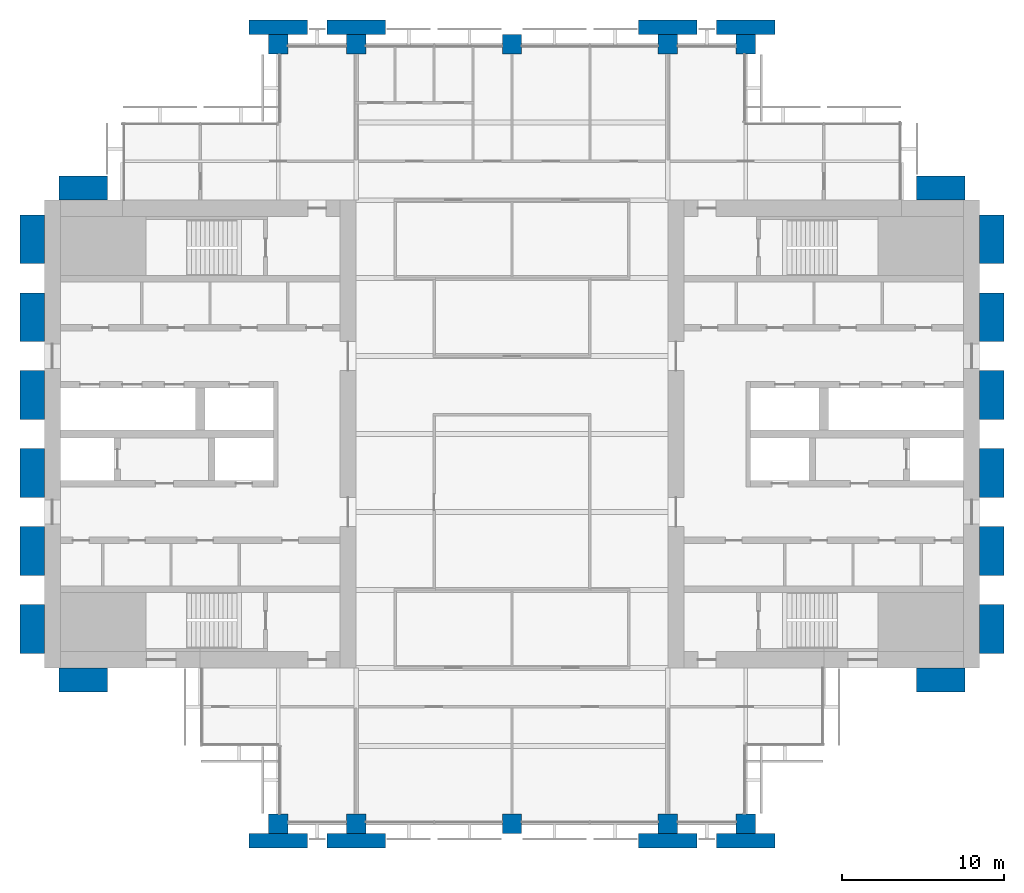
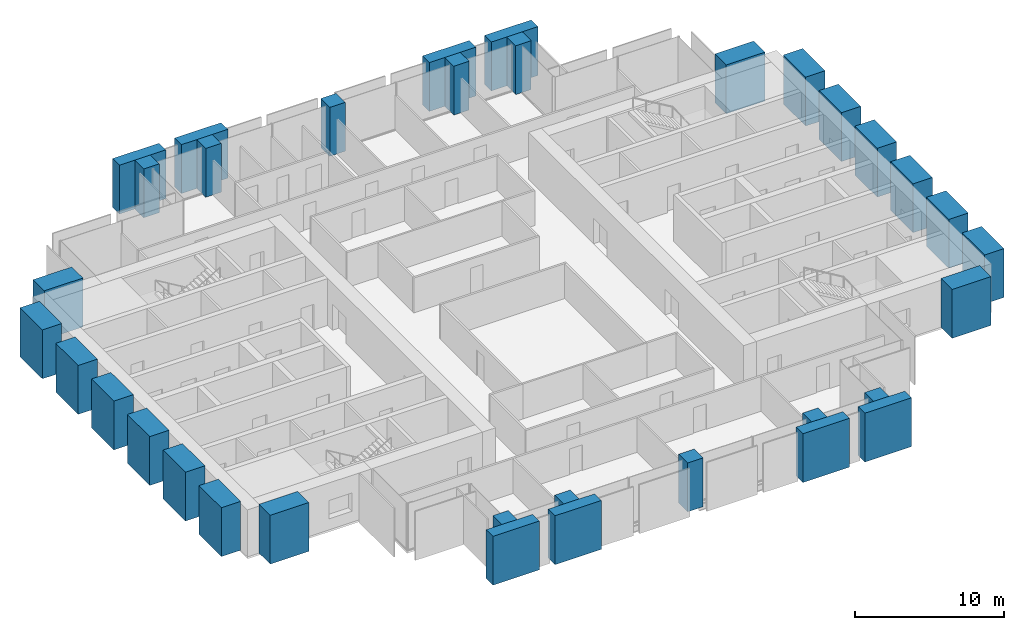
# One storey, part 1 of 14: 34 columns.
"""IFC4 building model written with IfcOpenShell, lengths in metres."""

from ifc_helpers import new_model, si_unit, direction, frame, origin, origin_2d, place, context, subcontext, project, spatial, rectangle, extrude, material, material_profile, profile_set, type_object, element, save


model = new_model("IFC4")

# Units and contexts
model_context = context("Model", 3, precision=1e-05, world=origin(), true_north=direction((0.0, 1.0)))
body_context = subcontext(model_context, "Body", "Model", "MODEL_VIEW")
ifc_project = project(units=[si_unit("LENGTHUNIT", "METRE"), si_unit("AREAUNIT", "SQUARE_METRE"), si_unit("VOLUMEUNIT", "CUBIC_METRE"), si_unit("PLANEANGLEUNIT", "RADIAN"), si_unit("MASSUNIT", "GRAM", prefix="KILO")], contexts=[model_context])

# Site, building, storey
site_placement = place(None, origin())
site = spatial("IfcSite", under=ifc_project, at=site_placement, CompositionType="ELEMENT")
building_placement = place(site_placement, origin())
building = spatial("IfcBuilding", under=site, at=building_placement, Name="Baori Bourse Tower", CompositionType="ELEMENT")
storey_placement = place(building_placement, frame((0.0, 0.0, 136.10009765625)))
storey = spatial("IfcBuildingStorey", under=building, at=storey_placement, Name="L29", CompositionType="ELEMENT", Elevation=136.10009765625)

# Columns
ifc_material_1 = material(Name="Concrete f'c 60 MPa", Category="concrete")
ifc_material_profile_1 = material_profile(ifc_material_1, rectangle(XDim=3.60009765625, YDim=0.89990234375, at=origin_2d()), Name="RC 3600x900")
ifc_profile_set_1 = profile_set([ifc_material_profile_1], Name="Concrete f'c 60 MPa")
column_type_1 = type_object("IfcColumnType", Name="FN3 Brick pilaster 3600x900", PredefinedType="PILASTER", material=ifc_profile_set_1)
for number, where, z_axis, x_axis, name in (
    (1, (14.39990234375, -1.050048828125, 0.0), (0.0, 0.0, 1.0), (1.0, 0.0, 0.0), "Brick pilaster L29 17"),
    (2, (19.199951171875, -1.050048828125, 0.0), (0.0, 0.0, 1.0), (1.0, 0.0, 0.0), "Brick pilaster L29 18"),
    (3, (38.39990234375, -1.050048828125, 0.0), (0.0, 0.0, 1.0), (1.0, 0.0, 0.0), "Brick pilaster L29 19"),
    (4, (43.199951171875, -1.050048828125, 0.0), (0.0, 0.0, 1.0), (1.0, 0.0, 0.0), "Brick pilaster L29 20"),
    (5, (14.39990234375, 49.050048828125, 0.0), (0.0, 0.0, 1.0), (1.0, 0.0, 0.0), "Brick pilaster L29 21"),
    (6, (19.199951171875, 49.050048828125, 0.0), (0.0, 0.0, 1.0), (1.0, 0.0, 0.0), "Brick pilaster L29 22"),
    (7, (38.39990234375, 49.050048828125, 0.0), (0.0, 0.0, 1.0), (1.0, 0.0, 0.0), "Brick pilaster L29 23"),
    (8, (43.199951171875, 49.050048828125, 0.0), (0.0, 0.0, 1.0), (1.0, 0.0, 0.0), "Brick pilaster L29 24"),
):
    element("IfcColumn", number, at=place(storey_placement, frame(where, z_axis=z_axis, x_axis=x_axis)), inside=storey, type_object=column_type_1, Name=name, PredefinedType="PILASTER", context=body_context, shape_type="SweptSolid", body=[
        extrude(rectangle(XDim=3.60009765625, YDim=0.89990234375, at=origin_2d()), origin(), (0.0, 0.0, 1.0), 4.0),
    ])
ifc_material_2 = material(Name="Concrete f'c 60 MPa", Category="concrete")
ifc_material_profile_2 = material_profile(ifc_material_2, rectangle(XDim=3.0, YDim=1.5, at=origin_2d()), Name="RC 3000x1500")
ifc_profile_set_2 = profile_set([ifc_material_profile_2], Name="Concrete f'c 60 MPa")
column_type_2 = type_object("IfcColumnType", Name="FN4 Brick flank pilaster 3000x1500", PredefinedType="PILASTER", material=ifc_profile_set_2)
for number, where, z_axis, x_axis, name in (
    (9, (55.199951171875, 8.85009765625, 0.0), (0.0, 0.0, 1.0), (1.0, 0.0, 0.0), "Brick pilaster L29 1"),
    (10, (58.35009765625, 12.0, 0.0), (0.0, 0.0, 1.0), (0.0, 1.0, 0.0), "Brick pilaster L29 2"),
    (11, (58.35009765625, 16.800048828125, 0.0), (0.0, 0.0, 1.0), (0.0, 1.0, 0.0), "Brick pilaster L29 3"),
    (12, (58.35009765625, 21.60009765625, 0.0), (0.0, 0.0, 1.0), (0.0, 1.0, 0.0), "Brick pilaster L29 4"),
    (13, (58.35009765625, 26.39990234375, 0.0), (0.0, 0.0, 1.0), (0.0, 1.0, 0.0), "Brick pilaster L29 5"),
    (14, (58.35009765625, 31.199951171875, 0.0), (0.0, 0.0, 1.0), (0.0, 1.0, 0.0), "Brick pilaster L29 6"),
    (15, (58.35009765625, 36.0, 0.0), (0.0, 0.0, 1.0), (0.0, 1.0, 0.0), "Brick pilaster L29 7"),
    (16, (55.199951171875, 39.14990234375, 0.0), (0.0, 0.0, 1.0), (1.0, 0.0, 0.0), "Brick pilaster L29 8"),
    (17, (2.39990234375, 39.14990234375, 0.0), (0.0, 0.0, 1.0), (1.0, 0.0, 0.0), "Brick pilaster L29 9"),
    (18, (-0.75, 12.0, 0.0), (0.0, 0.0, 1.0), (0.0, 1.0, 0.0), "Brick pilaster L29 10"),
    (19, (-0.75, 16.800048828125, 0.0), (0.0, 0.0, 1.0), (0.0, 1.0, 0.0), "Brick pilaster L29 11"),
    (20, (-0.75, 21.60009765625, 0.0), (0.0, 0.0, 1.0), (0.0, 1.0, 0.0), "Brick pilaster L29 12"),
    (21, (-0.75, 26.39990234375, 0.0), (0.0, 0.0, 1.0), (0.0, 1.0, 0.0), "Brick pilaster L29 13"),
    (22, (-0.75, 31.199951171875, 0.0), (0.0, 0.0, 1.0), (0.0, 1.0, 0.0), "Brick pilaster L29 14"),
    (23, (-0.75, 36.0, 0.0), (0.0, 0.0, 1.0), (0.0, 1.0, 0.0), "Brick pilaster L29 15"),
    (24, (2.39990234375, 8.85009765625, 0.0), (0.0, 0.0, 1.0), (1.0, 0.0, 0.0), "Brick pilaster L29 16"),
):
    element("IfcColumn", number, at=place(storey_placement, frame(where, z_axis=z_axis, x_axis=x_axis)), inside=storey, type_object=column_type_2, Name=name, PredefinedType="PILASTER", context=body_context, shape_type="SweptSolid", body=[
        extrude(rectangle(XDim=3.0, YDim=1.5, at=origin_2d()), origin(), (0.0, 0.0, 1.0), 4.0),
    ])
ifc_material_3 = material(Name="Concrete f'c 60 MPa", Category="concrete")
ifc_material_profile_3 = material_profile(ifc_material_3, rectangle(XDim=1.199951171875, YDim=1.199951171875, at=origin_2d()), Name="RC 1200x1200")
ifc_profile_set_3 = profile_set([ifc_material_profile_3], Name="Concrete f'c 60 MPa")
column_type_3 = type_object("IfcColumnType", Name="Perimeter column 60 RC 1200x1200", PredefinedType="COLUMN", material=ifc_profile_set_3)
for number, where, z_axis, x_axis, name in (
    (25, (14.39990234375, 0.0, 0.0), (0.0, 0.0, 1.0), (1.0, 0.0, 0.0), "Perimeter column L29"),
    (26, (19.199951171875, 0.0, 0.0), (0.0, 0.0, 1.0), (1.0, 0.0, 0.0), "Perimeter column L29"),
    (27, (28.800048828125, 0.0, 0.0), (0.0, 0.0, 1.0), (1.0, 0.0, 0.0), "Perimeter column L29"),
    (28, (38.39990234375, 0.0, 0.0), (0.0, 0.0, 1.0), (1.0, 0.0, 0.0), "Perimeter column L29"),
    (29, (43.199951171875, 0.0, 0.0), (0.0, 0.0, 1.0), (1.0, 0.0, 0.0), "Perimeter column L29"),
    (30, (14.39990234375, 48.0, 0.0), (0.0, 0.0, 1.0), (1.0, 0.0, 0.0), "Perimeter column L29"),
    (31, (19.199951171875, 48.0, 0.0), (0.0, 0.0, 1.0), (1.0, 0.0, 0.0), "Perimeter column L29"),
    (32, (28.800048828125, 48.0, 0.0), (0.0, 0.0, 1.0), (1.0, 0.0, 0.0), "Perimeter column L29"),
    (33, (38.39990234375, 48.0, 0.0), (0.0, 0.0, 1.0), (1.0, 0.0, 0.0), "Perimeter column L29"),
    (34, (43.199951171875, 48.0, 0.0), (0.0, 0.0, 1.0), (1.0, 0.0, 0.0), "Perimeter column L29"),
):
    element("IfcColumn", number, at=place(storey_placement, frame(where, z_axis=z_axis, x_axis=x_axis)), inside=storey, type_object=column_type_3, Name=name, PredefinedType="COLUMN", context=body_context, shape_type="SweptSolid", body=[
        extrude(rectangle(XDim=1.199951171875, YDim=1.199951171875, at=origin_2d()), origin(), (0.0, 0.0, 1.0), 4.0),
    ])

save(model, "model.ifc")
